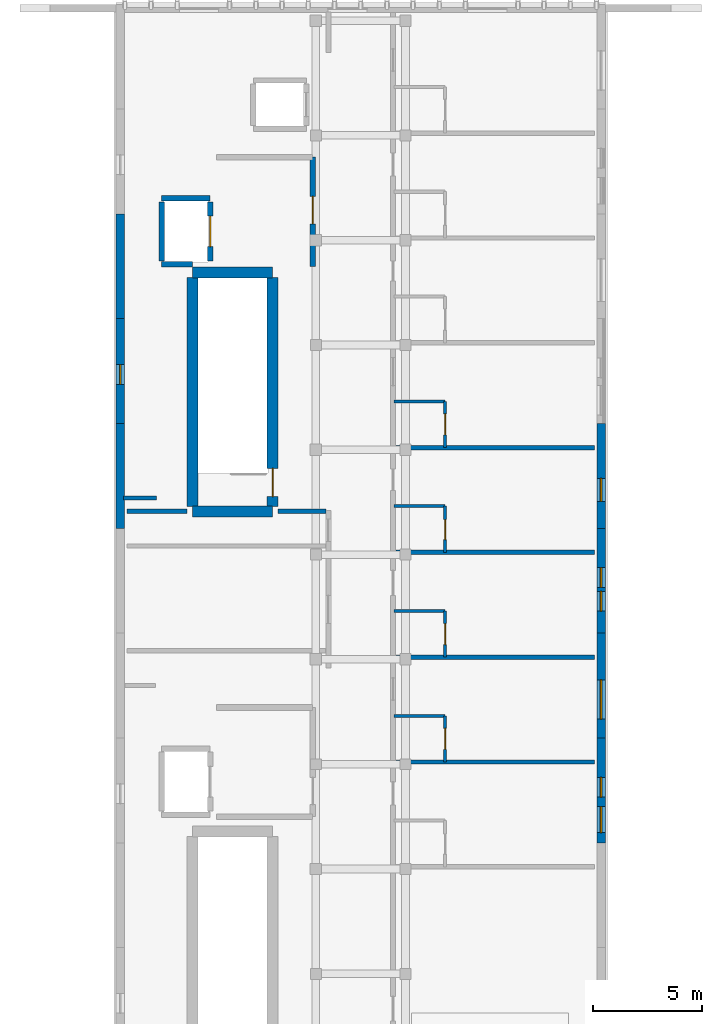
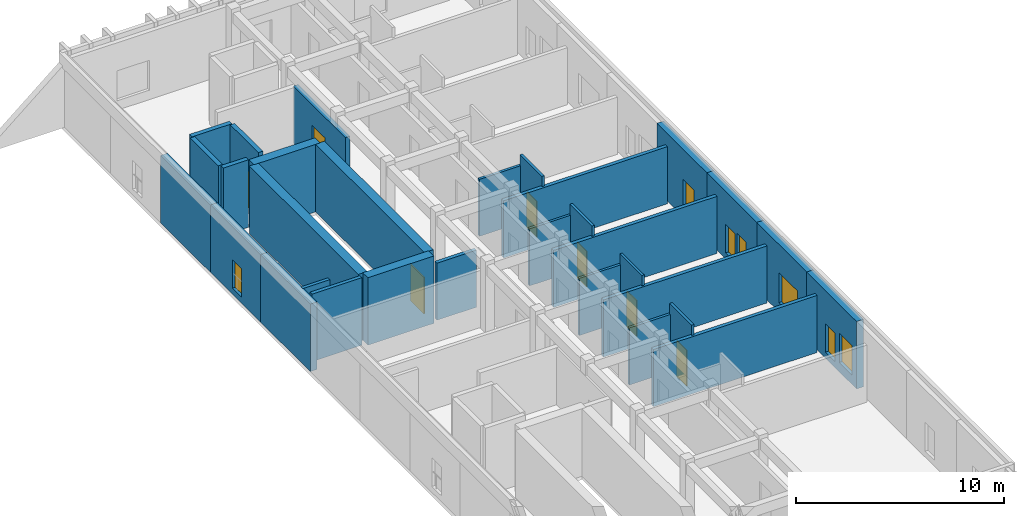
# One storey, part 3 of 7: 31 walls, 7 doors, 7 windows, 14 openings.
"""IFC4 building model written with IfcOpenShell, lengths in metres."""

from ifc_helpers import new_model, si_unit, direction, frame, frame_2d, origin, place, context, subcontext, project, spatial, rectangle, extrude, material, layer, layer_set, type_object, element, fill, save


model = new_model("IFC4")

# Units and contexts
model_context = context("Model", 3, precision=1e-05, world=origin(), true_north=direction((0.0, 1.0)))
body_context = subcontext(model_context, "Body", "Model", "MODEL_VIEW")
ifc_project = project(units=[si_unit("LENGTHUNIT", "METRE"), si_unit("AREAUNIT", "SQUARE_METRE"), si_unit("VOLUMEUNIT", "CUBIC_METRE"), si_unit("PLANEANGLEUNIT", "RADIAN"), si_unit("MASSUNIT", "GRAM", prefix="KILO")], contexts=[model_context])

# Site, building, storey
site_placement = place(None, origin())
site = spatial("IfcSite", under=ifc_project, at=site_placement, CompositionType="ELEMENT")
building_placement = place(site_placement, origin())
building = spatial("IfcBuilding", under=site, at=building_placement, Name="Nakhvara Creek Congress Hotel", CompositionType="ELEMENT")
storey_placement = place(building_placement, frame((0.0, 0.0, 50.39990234375)))
storey = spatial("IfcBuildingStorey", under=building, at=storey_placement, Name="L12", CompositionType="ELEMENT", Elevation=50.39990234375)

# Walls
ifc_material_1 = material(Name="Concrete C50/60", Category="concrete")
ifc_layer_1 = layer(ifc_material_1, 0.5)
ifc_layer_set_1 = layer_set([ifc_layer_1], Name="Concrete C50/60")
wall_type_1 = type_object("IfcWallType", Name="W-CORE-500", PredefinedType="SHEAR", material=ifc_layer_set_1)
for number, where, z_axis, x_axis, name in (
    (1, (156.699951171875, 102.780029296875, 0.0), (0.0, 0.0, 1.0), (1.0, 0.0, 0.0), "Core Shear Wall WS01-CWALL-L12-0520"),
    (2, (156.699951171875, 113.719970703125, 0.0), (0.0, 0.0, 1.0), (1.0, 0.0, 0.0), "Core Shear Wall WS01-CWALL-L12-0521"),
):
    element("IfcWall", number, at=place(storey_placement, frame(where, z_axis=z_axis, x_axis=x_axis)), inside=storey, type_object=wall_type_1, Name=name, PredefinedType="SHEAR", context=body_context, shape_type="SweptSolid", body=[
        extrude(rectangle(XDim=3.670166015625, YDim=0.5, at=frame_2d((1.8349609375, 0.0))), origin(), (0.0, 0.0, 1.0), 3.960205078125),
    ])
wall_1_placement = place(storey_placement, frame((156.699951171875, 103.0, 0.0), z_axis=(0.0, 0.0, 1.0), x_axis=(0.0, 1.0, 0.0)))
element("IfcWall", 3, at=wall_1_placement, inside=storey, type_object=wall_type_1, Name="Core Shear Wall WS01-CWALL-L12-0522", PredefinedType="SHEAR", context=body_context, shape_type="SweptSolid", body=[
    extrude(rectangle(XDim=10.5, YDim=0.5, at=frame_2d((5.25, 0.0))), origin(), (0.0, 0.0, 1.0), 3.960205078125),
])

# Wall, opening, door
wall_2_placement = place(storey_placement, frame((160.3701171875, 103.0, 0.0), z_axis=(0.0, 0.0, 1.0), x_axis=(0.0, 1.0, 0.0)))
wall_2 = element("IfcWall", 4, at=wall_2_placement, inside=storey, type_object=wall_type_1, Name="Core Shear Wall WS01-CWALL-L12-0523", PredefinedType="SHEAR", context=body_context, shape_type="SweptSolid", body=[
    extrude(rectangle(XDim=10.5, YDim=0.5, at=frame_2d((5.25, 0.0))), origin(), (0.0, 0.0, 1.0), 3.960205078125),
])
opening_1_placement = place(wall_2_placement, frame((0.449951171875, 0.0, 0.0)))
opening_1 = element("IfcOpeningElement", 5, at=opening_1_placement, cuts=wall_2, Name="Opening FD04", PredefinedType="OPENING", context=body_context, shape_type="SweptSolid", body=[
    extrude(rectangle(XDim=1.300048828125, YDim=2.14990234375, at=frame_2d((0.64990234375, 1.074951171875))), frame((0.0, 0.261962890625, 0.0), z_axis=(0.0, -1.0, 0.0), x_axis=(1.0, 0.0, 0.0)), (0.0, 0.0, 1.0), 0.52392578125),
])
ifc_material_2 = material(Name="Powder-coated steel fire door", Category="steel")
door_type_1 = type_object("IfcDoorType", Name="DT-STAIR-130", OperationType="NOTDEFINED", PredefinedType="DOOR", material=ifc_material_2)
door_1_placement = place(opening_1_placement, frame((1.300048828125, 0.0, 0.0), z_axis=(0.0, 0.0, 1.0), x_axis=(-1.0, 0.0, 0.0)))
door_1 = element("IfcDoor", 6, at=door_1_placement, inside=storey, type_object=door_type_1, Name="Stair Exit Door ST02-L12", OperationType="SINGLE_SWING_LEFT", OverallHeight=2.14990234375, OverallWidth=1.300048828125, PredefinedType="DOOR", context=body_context, shape_type="SweptSolid", body=[
    extrude(rectangle(XDim=1.300048828125, YDim=2.14990234375, at=frame_2d((0.64990234375, 1.074951171875))), frame((0.0, 0.02490234375, 0.0), z_axis=(0.0, -1.0, 0.0), x_axis=(1.0, 0.0, 0.0)), (0.0, 0.0, 1.0), 0.050048828125),
])
fill(opening_1, door_1)

ifc_material_3 = material(Name="Moisture-resistant gypsum board partition")
ifc_layer_2 = layer(ifc_material_3, 0.139892578125)
ifc_layer_set_2 = layer_set([ifc_layer_2], Name="Moisture-resistant gypsum board partition")
wall_type_2 = type_object("IfcWallType", Name="W-ENS-140", PredefinedType="PARTITIONING", material=ifc_layer_set_2)
wall_3_placement = place(storey_placement, frame((168.27001953125, 91.300048828125, 0.0), z_axis=(0.0, 0.0, 1.0), x_axis=(0.0, 1.0, 0.0)))
wall_3 = element("IfcWall", 7, at=wall_3_placement, inside=storey, type_object=wall_type_2, Name="Interior Wall WP15-IW-L12-0806", PredefinedType="PARTITIONING", context=body_context, shape_type="SweptSolid", body=[
    extrude(rectangle(XDim=2.115966796875, YDim=0.139892578125, at=frame_2d((1.05810546875, 0.0))), origin(), (0.0, 0.0, 1.0), 3.960205078125),
])
opening_2_placement = place(wall_3_placement, frame((0.5830078125, 0.0, 0.0)))
opening_2 = element("IfcOpeningElement", 8, at=opening_2_placement, cuts=wall_3, Name="Opening ID02", PredefinedType="OPENING", context=body_context, shape_type="SweptSolid", body=[
    extrude(rectangle(XDim=0.9599609375, YDim=2.1201171875, at=frame_2d((0.47998046875, 1.06005859375))), frame((0.0, 0.08203125, 0.0), z_axis=(0.0, -1.0, 0.0), x_axis=(1.0, 0.0, 0.0)), (0.0, 0.0, 1.0), 0.163818359375),
])
ifc_material_4 = material(Name="Moisture-resistant walnut timber door", Category="wood")
door_type_2 = type_object("IfcDoorType", Name="DT-ENS-096", OperationType="NOTDEFINED", PredefinedType="DOOR", material=ifc_material_4)
door_2_placement = place(opening_2_placement, frame((0.9599609375, 0.0, 0.0), z_axis=(0.0, 0.0, 1.0), x_axis=(-1.0, 0.0, 0.0)))
door_2 = element("IfcDoor", 9, at=door_2_placement, inside=storey, type_object=door_type_2, Name="Interior Door ID02-0572", OperationType="SINGLE_SWING_LEFT", OverallHeight=2.1201171875, OverallWidth=0.9599609375, PredefinedType="DOOR", context=body_context, shape_type="SweptSolid", body=[
    extrude(rectangle(XDim=0.9599609375, YDim=2.1201171875, at=frame_2d((0.47998046875, 1.06005859375))), frame((0.0, 0.02490234375, 0.0), z_axis=(0.0, -1.0, 0.0), x_axis=(1.0, 0.0, 0.0)), (0.0, 0.0, 1.0), 0.050048828125),
])
fill(opening_2, door_2)

# Wall
wall_4_placement = place(storey_placement, frame((165.919921875, 93.416015625, 0.0), z_axis=(0.0, 0.0, 1.0), x_axis=(1.0, 0.0, 0.0)))
element("IfcWall", 10, at=wall_4_placement, inside=storey, type_object=wall_type_2, Name="Interior Wall WP15-IW-L12-0807", PredefinedType="PARTITIONING", context=body_context, shape_type="SweptSolid", body=[
    extrude(rectangle(XDim=2.35009765625, YDim=0.139892578125, at=frame_2d((1.175048828125, 0.0))), origin(), (0.0, 0.0, 1.0), 3.35205078125),
])

# Wall, opening, door
wall_5_placement = place(storey_placement, frame((168.27001953125, 96.10009765625, 0.0), z_axis=(0.0, 0.0, 1.0), x_axis=(0.0, 1.0, 0.0)))
wall_5 = element("IfcWall", 11, at=wall_5_placement, inside=storey, type_object=wall_type_2, Name="Interior Wall WP15-IW-L12-0809", PredefinedType="PARTITIONING", context=body_context, shape_type="SweptSolid", body=[
    extrude(rectangle(XDim=2.115966796875, YDim=0.139892578125, at=frame_2d((1.05810546875, 0.0))), origin(), (0.0, 0.0, 1.0), 3.960205078125),
])
opening_3_placement = place(wall_5_placement, frame((0.5830078125, 0.0, 0.0)))
opening_3 = element("IfcOpeningElement", 12, at=opening_3_placement, cuts=wall_5, Name="Opening ID02", PredefinedType="OPENING", context=body_context, shape_type="SweptSolid", body=[
    extrude(rectangle(XDim=0.9599609375, YDim=2.1201171875, at=frame_2d((0.47998046875, 1.06005859375))), frame((0.0, 0.08203125, 0.0), z_axis=(0.0, -1.0, 0.0), x_axis=(1.0, 0.0, 0.0)), (0.0, 0.0, 1.0), 0.163818359375),
])
door_3_placement = place(opening_3_placement, frame((0.9599609375, 0.0, 0.0), z_axis=(0.0, 0.0, 1.0), x_axis=(-1.0, 0.0, 0.0)))
door_3 = element("IfcDoor", 13, at=door_3_placement, inside=storey, type_object=door_type_2, Name="Interior Door ID02-0574", OperationType="SINGLE_SWING_LEFT", OverallHeight=2.1201171875, OverallWidth=0.9599609375, PredefinedType="DOOR", context=body_context, shape_type="SweptSolid", body=[
    extrude(rectangle(XDim=0.9599609375, YDim=2.1201171875, at=frame_2d((0.47998046875, 1.06005859375))), frame((0.0, 0.02490234375, 0.0), z_axis=(0.0, -1.0, 0.0), x_axis=(1.0, 0.0, 0.0)), (0.0, 0.0, 1.0), 0.050048828125),
])
fill(opening_3, door_3)

# Wall
wall_6_placement = place(storey_placement, frame((165.919921875, 98.216064453125, 0.0), z_axis=(0.0, 0.0, 1.0), x_axis=(1.0, 0.0, 0.0)))
element("IfcWall", 14, at=wall_6_placement, inside=storey, type_object=wall_type_2, Name="Interior Wall WP15-IW-L12-0810", PredefinedType="PARTITIONING", context=body_context, shape_type="SweptSolid", body=[
    extrude(rectangle(XDim=2.35009765625, YDim=0.139892578125, at=frame_2d((1.175048828125, 0.0))), origin(), (0.0, 0.0, 1.0), 3.35205078125),
])

# Wall, opening, door
wall_7_placement = place(storey_placement, frame((168.27001953125, 100.89990234375, 0.0), z_axis=(0.0, 0.0, 1.0), x_axis=(0.0, 1.0, 0.0)))
wall_7 = element("IfcWall", 15, at=wall_7_placement, inside=storey, type_object=wall_type_2, Name="Interior Wall WP15-IW-L12-0812", PredefinedType="PARTITIONING", context=body_context, shape_type="SweptSolid", body=[
    extrude(rectangle(XDim=2.1162109375, YDim=0.139892578125, at=frame_2d((1.05810546875, 0.0))), origin(), (0.0, 0.0, 1.0), 3.960205078125),
])
opening_4_placement = place(wall_7_placement, frame((0.5830078125, 0.0, 0.0)))
opening_4 = element("IfcOpeningElement", 16, at=opening_4_placement, cuts=wall_7, Name="Opening ID01", PredefinedType="OPENING", context=body_context, shape_type="SweptSolid", body=[
    extrude(rectangle(XDim=0.919921875, YDim=2.10009765625, at=frame_2d((0.4599609375, 1.050048828125))), frame((0.0, 0.08203125, 0.0), z_axis=(0.0, -1.0, 0.0), x_axis=(1.0, 0.0, 0.0)), (0.0, 0.0, 1.0), 0.163818359375),
])
door_type_3 = type_object("IfcDoorType", Name="DT-ENS-092", OperationType="NOTDEFINED", PredefinedType="DOOR", material=ifc_material_4)
door_4_placement = place(opening_4_placement, frame((0.919921875, 0.0, 0.0), z_axis=(0.0, 0.0, 1.0), x_axis=(-1.0, 0.0, 0.0)))
door_4 = element("IfcDoor", 17, at=door_4_placement, inside=storey, type_object=door_type_3, Name="Interior Door ID01-0576", OperationType="SINGLE_SWING_LEFT", OverallHeight=2.10009765625, OverallWidth=0.919921875, PredefinedType="DOOR", context=body_context, shape_type="SweptSolid", body=[
    extrude(rectangle(XDim=0.919921875, YDim=2.10009765625, at=frame_2d((0.4599609375, 1.050048828125))), frame((0.0, 0.02490234375, 0.0), z_axis=(0.0, -1.0, 0.0), x_axis=(1.0, 0.0, 0.0)), (0.0, 0.0, 1.0), 0.050048828125),
])
fill(opening_4, door_4)

# Wall
wall_8_placement = place(storey_placement, frame((165.919921875, 103.01611328125, 0.0), z_axis=(0.0, 0.0, 1.0), x_axis=(1.0, 0.0, 0.0)))
element("IfcWall", 18, at=wall_8_placement, inside=storey, type_object=wall_type_2, Name="Interior Wall WP15-IW-L12-0813", PredefinedType="PARTITIONING", context=body_context, shape_type="SweptSolid", body=[
    extrude(rectangle(XDim=2.35009765625, YDim=0.139892578125, at=frame_2d((1.175048828125, 0.0))), origin(), (0.0, 0.0, 1.0), 3.35205078125),
])

# Wall, opening, door
wall_9_placement = place(storey_placement, frame((168.27001953125, 105.699951171875, 0.0), z_axis=(0.0, 0.0, 1.0), x_axis=(0.0, 1.0, 0.0)))
wall_9 = element("IfcWall", 19, at=wall_9_placement, inside=storey, type_object=wall_type_2, Name="Interior Wall WP15-IW-L12-0815", PredefinedType="PARTITIONING", context=body_context, shape_type="SweptSolid", body=[
    extrude(rectangle(XDim=2.115966796875, YDim=0.139892578125, at=frame_2d((1.05810546875, 0.0))), origin(), (0.0, 0.0, 1.0), 3.960205078125),
])
opening_5_placement = place(wall_9_placement, frame((0.5830078125, 0.0, 0.0)))
opening_5 = element("IfcOpeningElement", 20, at=opening_5_placement, cuts=wall_9, Name="Opening ID02", PredefinedType="OPENING", context=body_context, shape_type="SweptSolid", body=[
    extrude(rectangle(XDim=0.9599609375, YDim=2.1201171875, at=frame_2d((0.47998046875, 1.06005859375))), frame((0.0, 0.08203125, 0.0), z_axis=(0.0, -1.0, 0.0), x_axis=(1.0, 0.0, 0.0)), (0.0, 0.0, 1.0), 0.163818359375),
])
door_5_placement = place(opening_5_placement, frame((0.9599609375, 0.0, 0.0), z_axis=(0.0, 0.0, 1.0), x_axis=(-1.0, 0.0, 0.0)))
door_5 = element("IfcDoor", 21, at=door_5_placement, inside=storey, type_object=door_type_2, Name="Interior Door ID02-0578", OperationType="SINGLE_SWING_LEFT", OverallHeight=2.1201171875, OverallWidth=0.9599609375, PredefinedType="DOOR", context=body_context, shape_type="SweptSolid", body=[
    extrude(rectangle(XDim=0.9599609375, YDim=2.1201171875, at=frame_2d((0.47998046875, 1.06005859375))), frame((0.0, 0.02490234375, 0.0), z_axis=(0.0, -1.0, 0.0), x_axis=(1.0, 0.0, 0.0)), (0.0, 0.0, 1.0), 0.050048828125),
])
fill(opening_5, door_5)

# Wall
wall_10_placement = place(storey_placement, frame((165.919921875, 107.81591796875, 0.0), z_axis=(0.0, 0.0, 1.0), x_axis=(1.0, 0.0, 0.0)))
element("IfcWall", 22, at=wall_10_placement, inside=storey, type_object=wall_type_2, Name="Interior Wall WP15-IW-L12-0816", PredefinedType="PARTITIONING", context=body_context, shape_type="SweptSolid", body=[
    extrude(rectangle(XDim=2.35009765625, YDim=0.139892578125, at=frame_2d((1.175048828125, 0.0))), origin(), (0.0, 0.0, 1.0), 3.35205078125),
])

# Wall, openings, windows
ifc_material_5 = material(Name="Honed pale Omani limestone cladding", Category="masonry")
ifc_layer_3 = layer(ifc_material_5, 0.050048828125)
ifc_material_6 = material(Name="Mineral wool thermal insulation")
ifc_layer_4 = layer(ifc_material_6, 0.110107421875)
ifc_material_7 = material(Name="Precast concrete C40/50", Category="concrete")
ifc_layer_5 = layer(ifc_material_7, 0.219970703125)
ifc_layer_set_3 = layer_set([ifc_layer_3, ifc_layer_4, ifc_layer_5], Name="Precast concrete C40/50")
wall_type_3 = type_object("IfcWallType", Name="W-EXT-380", PredefinedType="SOLIDWALL", material=ifc_layer_set_3)
wall_11_placement = place(storey_placement, frame((175.409912109375, 92.39990234375, 0.0), z_axis=(0.0, 0.0, 1.0), x_axis=(0.0, -1.0, 0.0)))
wall_11 = element("IfcWall", 23, at=wall_11_placement, inside=storey, type_object=wall_type_3, Name="Exterior Wall WE03-EW-L12-0239", PredefinedType="SOLIDWALL", context=body_context, shape_type="SweptSolid", body=[
    extrude(rectangle(XDim=4.7998046875, YDim=0.3798828125, at=frame_2d((2.39990234375, 0.0))), origin(), (0.0, 0.0, 1.0), 3.960205078125),
])
opening_6_placement = place(wall_11_placement, frame((1.800048828125, 0.0, 0.35009765625)))
opening_6 = element("IfcOpeningElement", 24, at=opening_6_placement, cuts=wall_11, Name="Opening WN0260", PredefinedType="OPENING", context=body_context, shape_type="SweptSolid", body=[
    extrude(rectangle(XDim=0.89990234375, YDim=1.679931640625, at=frame_2d((0.449951171875, 0.83984375))), frame((0.0, 0.201904296875, 0.0), z_axis=(0.0, -1.0, 0.0), x_axis=(1.0, 0.0, 0.0)), (0.0, 0.0, 1.0), 0.40380859375),
])
opening_7_placement = place(wall_11_placement, frame((3.135009765625, 0.0, 0.550048828125)))
opening_7 = element("IfcOpeningElement", 25, at=opening_7_placement, cuts=wall_11, Name="Opening WN0268", PredefinedType="OPENING", context=body_context, shape_type="SweptSolid", body=[
    extrude(rectangle(XDim=1.199951171875, YDim=1.719970703125, at=frame_2d((0.60009765625, 0.85986328125))), frame((0.0, 0.201904296875, 0.0), z_axis=(0.0, -1.0, 0.0), x_axis=(1.0, 0.0, 0.0)), (0.0, 0.0, 1.0), 0.40380859375),
])
ifc_material_8 = material(Name="Thermally broken bronze-anodised aluminium and double-silver low-E insulated glass", Category="aluminium")
window_type_1 = type_object("IfcWindowType", Name="WN-LAN-090X210", PartitioningType="SINGLE_PANEL", PredefinedType="WINDOW", material=ifc_material_8)
window_1_placement = place(opening_6_placement, origin())
window_1 = element("IfcWindow", 26, at=window_1_placement, inside=storey, type_object=window_type_1, Name="Facade Window WN0260", OverallHeight=1.679931640625, OverallWidth=0.89990234375, PartitioningType="SINGLE_PANEL", PredefinedType="WINDOW", context=body_context, shape_type="SweptSolid", body=[
    extrude(rectangle(XDim=0.89990234375, YDim=1.679931640625, at=frame_2d((0.449951171875, 0.83984375))), frame((0.0, 0.030029296875, 0.0), z_axis=(0.0, -1.0, 0.0), x_axis=(1.0, 0.0, 0.0)), (0.0, 0.0, 1.0), 0.06005859375),
])
fill(opening_6, window_1)
window_type_2 = type_object("IfcWindowType", Name="WN-LAN-120X220", PartitioningType="SINGLE_PANEL", PredefinedType="WINDOW", material=ifc_material_8)
window_2_placement = place(opening_7_placement, origin())
window_2 = element("IfcWindow", 27, at=window_2_placement, inside=storey, type_object=window_type_2, Name="Facade Window WN0268", OverallHeight=1.719970703125, OverallWidth=1.199951171875, PartitioningType="SINGLE_PANEL", PredefinedType="WINDOW", context=body_context, shape_type="SweptSolid", body=[
    extrude(rectangle(XDim=1.199951171875, YDim=1.719970703125, at=frame_2d((0.60009765625, 0.85986328125))), frame((0.0, 0.030029296875, 0.0), z_axis=(0.0, -1.0, 0.0), x_axis=(1.0, 0.0, 0.0)), (0.0, 0.0, 1.0), 0.06005859375),
])
fill(opening_7, window_2)

# Wall, opening, window
wall_12_placement = place(storey_placement, frame((175.409912109375, 97.199951171875, 0.0), z_axis=(0.0, 0.0, 1.0), x_axis=(0.0, -1.0, 0.0)))
wall_12 = element("IfcWall", 28, at=wall_12_placement, inside=storey, type_object=wall_type_3, Name="Exterior Wall WE03-EW-L12-0241", PredefinedType="SOLIDWALL", context=body_context, shape_type="SweptSolid", body=[
    extrude(rectangle(XDim=4.800048828125, YDim=0.3798828125, at=frame_2d((2.39990234375, 0.0))), origin(), (0.0, 0.0, 1.0), 3.960205078125),
])
opening_8_placement = place(wall_12_placement, frame((2.135009765625, 0.0, 0.550048828125)))
opening_8 = element("IfcOpeningElement", 29, at=opening_8_placement, cuts=wall_12, Name="Opening WN0269", PredefinedType="OPENING", context=body_context, shape_type="SweptSolid", body=[
    extrude(rectangle(XDim=1.800048828125, YDim=1.760009765625, at=frame_2d((0.89990234375, 0.8798828125))), frame((0.0, 0.201904296875, 0.0), z_axis=(0.0, -1.0, 0.0), x_axis=(1.0, 0.0, 0.0)), (0.0, 0.0, 1.0), 0.40380859375),
])
window_type_3 = type_object("IfcWindowType", Name="WN-LAN-180X225", PartitioningType="SINGLE_PANEL", PredefinedType="WINDOW", material=ifc_material_8)
window_3_placement = place(opening_8_placement, origin())
window_3 = element("IfcWindow", 30, at=window_3_placement, inside=storey, type_object=window_type_3, Name="Facade Window WN0269", OverallHeight=1.760009765625, OverallWidth=1.800048828125, PartitioningType="SINGLE_PANEL", PredefinedType="WINDOW", context=body_context, shape_type="SweptSolid", body=[
    extrude(rectangle(XDim=1.800048828125, YDim=1.760009765625, at=frame_2d((0.89990234375, 0.8798828125))), frame((0.0, 0.030029296875, 0.0), z_axis=(0.0, -1.0, 0.0), x_axis=(1.0, 0.0, 0.0)), (0.0, 0.0, 1.0), 0.06005859375),
])
fill(opening_8, window_3)

# Wall, openings, windows
wall_13_placement = place(storey_placement, frame((175.409912109375, 102.0, 0.0), z_axis=(0.0, 0.0, 1.0), x_axis=(0.0, -1.0, 0.0)))
wall_13 = element("IfcWall", 31, at=wall_13_placement, inside=storey, type_object=wall_type_3, Name="Exterior Wall WE03-EW-L12-0243", PredefinedType="SOLIDWALL", context=body_context, shape_type="SweptSolid", body=[
    extrude(rectangle(XDim=4.800048828125, YDim=0.3798828125, at=frame_2d((2.39990234375, 0.0))), origin(), (0.0, 0.0, 1.0), 3.960205078125),
])
opening_9_placement = place(wall_13_placement, frame((1.800048828125, 0.0, 0.35009765625)))
opening_9 = element("IfcOpeningElement", 32, at=opening_9_placement, cuts=wall_13, Name="Opening WN0262", PredefinedType="OPENING", context=body_context, shape_type="SweptSolid", body=[
    extrude(rectangle(XDim=0.89990234375, YDim=1.679931640625, at=frame_2d((0.449951171875, 0.83984375))), frame((0.0, 0.201904296875, 0.0), z_axis=(0.0, -1.0, 0.0), x_axis=(1.0, 0.0, 0.0)), (0.0, 0.0, 1.0), 0.40380859375),
])
opening_10_placement = place(wall_13_placement, frame((2.885009765625, 0.0, 0.5)))
opening_10 = element("IfcOpeningElement", 33, at=opening_10_placement, cuts=wall_13, Name="Opening WN0270", PredefinedType="OPENING", context=body_context, shape_type="SweptSolid", body=[
    extrude(rectangle(XDim=0.89990234375, YDim=1.679931640625, at=frame_2d((0.449951171875, 0.83984375))), frame((0.0, 0.201904296875, 0.0), z_axis=(0.0, -1.0, 0.0), x_axis=(1.0, 0.0, 0.0)), (0.0, 0.0, 1.0), 0.40380859375),
])
window_4_placement = place(opening_9_placement, origin())
window_4 = element("IfcWindow", 34, at=window_4_placement, inside=storey, type_object=window_type_1, Name="Facade Window WN0262", OverallHeight=1.679931640625, OverallWidth=0.89990234375, PartitioningType="SINGLE_PANEL", PredefinedType="WINDOW", context=body_context, shape_type="SweptSolid", body=[
    extrude(rectangle(XDim=0.89990234375, YDim=1.679931640625, at=frame_2d((0.449951171875, 0.83984375))), frame((0.0, 0.030029296875, 0.0), z_axis=(0.0, -1.0, 0.0), x_axis=(1.0, 0.0, 0.0)), (0.0, 0.0, 1.0), 0.06005859375),
])
fill(opening_9, window_4)
window_5_placement = place(opening_10_placement, origin())
window_5 = element("IfcWindow", 35, at=window_5_placement, inside=storey, type_object=window_type_1, Name="Facade Window WN0270", OverallHeight=1.679931640625, OverallWidth=0.89990234375, PartitioningType="SINGLE_PANEL", PredefinedType="WINDOW", context=body_context, shape_type="SweptSolid", body=[
    extrude(rectangle(XDim=0.89990234375, YDim=1.679931640625, at=frame_2d((0.449951171875, 0.83984375))), frame((0.0, 0.030029296875, 0.0), z_axis=(0.0, -1.0, 0.0), x_axis=(1.0, 0.0, 0.0)), (0.0, 0.0, 1.0), 0.06005859375),
])
fill(opening_10, window_5)

# Wall, opening, window
wall_14_placement = place(storey_placement, frame((175.409912109375, 106.800048828125, 0.0), z_axis=(0.0, 0.0, 1.0), x_axis=(0.0, -1.0, 0.0)))
wall_14 = element("IfcWall", 36, at=wall_14_placement, inside=storey, type_object=wall_type_3, Name="Exterior Wall WE03-EW-L12-0245", PredefinedType="SOLIDWALL", context=body_context, shape_type="SweptSolid", body=[
    extrude(rectangle(XDim=4.800048828125, YDim=0.3798828125, at=frame_2d((2.39990234375, 0.0))), origin(), (0.0, 0.0, 1.0), 3.960205078125),
])
opening_11_placement = place(wall_14_placement, frame((2.510009765625, 0.0, 0.550048828125)))
opening_11 = element("IfcOpeningElement", 37, at=opening_11_placement, cuts=wall_14, Name="Opening WN0271", PredefinedType="OPENING", context=body_context, shape_type="SweptSolid", body=[
    extrude(rectangle(XDim=1.050048828125, YDim=1.64990234375, at=frame_2d((0.52490234375, 0.824951171875))), frame((0.0, 0.201904296875, 0.0), z_axis=(0.0, -1.0, 0.0), x_axis=(1.0, 0.0, 0.0)), (0.0, 0.0, 1.0), 0.40380859375),
])
window_type_4 = type_object("IfcWindowType", Name="WN-LAN-105X180", PartitioningType="SINGLE_PANEL", PredefinedType="WINDOW", material=ifc_material_8)
window_6_placement = place(opening_11_placement, origin())
window_6 = element("IfcWindow", 38, at=window_6_placement, inside=storey, type_object=window_type_4, Name="Facade Window WN0271", OverallHeight=1.64990234375, OverallWidth=1.050048828125, PartitioningType="SINGLE_PANEL", PredefinedType="WINDOW", context=body_context, shape_type="SweptSolid", body=[
    extrude(rectangle(XDim=1.050048828125, YDim=1.64990234375, at=frame_2d((0.52490234375, 0.824951171875))), frame((0.0, 0.030029296875, 0.0), z_axis=(0.0, -1.0, 0.0), x_axis=(1.0, 0.0, 0.0)), (0.0, 0.0, 1.0), 0.06005859375),
])
fill(opening_11, window_6)

# Wall
wall_15_placement = place(storey_placement, frame((153.389892578125, 102.0, 0.0), z_axis=(0.0, 0.0, 1.0), x_axis=(0.0, 1.0, 0.0)))
element("IfcWall", 39, at=wall_15_placement, inside=storey, type_object=wall_type_3, Name="Exterior Wall WE03-EW-L12-0246", PredefinedType="SOLIDWALL", context=body_context, shape_type="SweptSolid", body=[
    extrude(rectangle(XDim=4.800048828125, YDim=0.3798828125, at=frame_2d((2.39990234375, 0.0))), origin(), (0.0, 0.0, 1.0), 3.960205078125),
])

# Wall, opening, window
wall_16_placement = place(storey_placement, frame((153.389892578125, 106.800048828125, 0.0), z_axis=(0.0, 0.0, 1.0), x_axis=(0.0, 1.0, 0.0)))
wall_16 = element("IfcWall", 40, at=wall_16_placement, inside=storey, type_object=wall_type_3, Name="Exterior Wall WE03-EW-L12-0248", PredefinedType="SOLIDWALL", context=body_context, shape_type="SweptSolid", body=[
    extrude(rectangle(XDim=4.800048828125, YDim=0.3798828125, at=frame_2d((2.39990234375, 0.0))), origin(), (0.0, 0.0, 1.0), 3.960205078125),
])
opening_12_placement = place(wall_16_placement, frame((1.800048828125, 0.0, 0.35009765625)))
opening_12 = element("IfcOpeningElement", 41, at=opening_12_placement, cuts=wall_16, Name="Opening WN0264", PredefinedType="OPENING", context=body_context, shape_type="SweptSolid", body=[
    extrude(rectangle(XDim=0.89990234375, YDim=1.679931640625, at=frame_2d((0.449951171875, 0.83984375))), frame((0.0, 0.201904296875, 0.0), z_axis=(0.0, -1.0, 0.0), x_axis=(1.0, 0.0, 0.0)), (0.0, 0.0, 1.0), 0.40380859375),
])
window_7_placement = place(opening_12_placement, origin())
window_7 = element("IfcWindow", 42, at=window_7_placement, inside=storey, type_object=window_type_1, Name="Facade Window WN0264", OverallHeight=1.679931640625, OverallWidth=0.89990234375, PartitioningType="SINGLE_PANEL", PredefinedType="WINDOW", context=body_context, shape_type="SweptSolid", body=[
    extrude(rectangle(XDim=0.89990234375, YDim=1.679931640625, at=frame_2d((0.449951171875, 0.83984375))), frame((0.0, 0.030029296875, 0.0), z_axis=(0.0, -1.0, 0.0), x_axis=(1.0, 0.0, 0.0)), (0.0, 0.0, 1.0), 0.06005859375),
])
fill(opening_12, window_7)

# Wall
wall_17_placement = place(storey_placement, frame((153.389892578125, 111.60009765625, 0.0), z_axis=(0.0, 0.0, 1.0), x_axis=(0.0, 1.0, 0.0)))
element("IfcWall", 43, at=wall_17_placement, inside=storey, type_object=wall_type_3, Name="Exterior Wall WE03-EW-L12-0250", PredefinedType="SOLIDWALL", context=body_context, shape_type="SweptSolid", body=[
    extrude(rectangle(XDim=4.7998046875, YDim=0.3798828125, at=frame_2d((2.39990234375, 0.0))), origin(), (0.0, 0.0, 1.0), 3.960205078125),
])

# Wall, opening, door
ifc_material_9 = material(Name="Concrete C40/50", Category="concrete")
ifc_layer_6 = layer(ifc_material_9, 0.260009765625)
ifc_layer_set_4 = layer_set([ifc_layer_6], Name="Concrete C40/50")
wall_type_4 = type_object("IfcWallType", Name="W-FFL-260", PredefinedType="SOLIDWALL", material=ifc_layer_set_4)
wall_18_placement = place(storey_placement, frame((162.199951171875, 114.0, 0.0), z_axis=(0.0, 0.0, 1.0), x_axis=(0.0, 1.0, 0.0)))
wall_18 = element("IfcWall", 44, at=wall_18_placement, inside=storey, type_object=wall_type_4, Name="Core Shear Wall WI03-CWALL-L12-0532", PredefinedType="SOLIDWALL", context=body_context, shape_type="SweptSolid", body=[
    extrude(rectangle(XDim=5.0, YDim=0.260009765625, at=frame_2d((2.5, 0.0))), origin(), (0.0, 0.0, 1.0), 3.35205078125),
])
opening_13_placement = place(wall_18_placement, frame((1.949951171875, 0.0, 0.0)))
opening_13 = element("IfcOpeningElement", 45, at=opening_13_placement, cuts=wall_18, Name="Opening FD05", PredefinedType="OPENING", context=body_context, shape_type="SweptSolid", body=[
    extrude(rectangle(XDim=1.25, YDim=2.14990234375, at=frame_2d((0.625, 1.074951171875))), frame((0.0, 0.14208984375, 0.0), z_axis=(0.0, -1.0, 0.0), x_axis=(1.0, 0.0, 0.0)), (0.0, 0.0, 1.0), 0.283935546875),
])
ifc_material_10 = material(Name="Hardwood-veneered steel fire door", Category="steel")
door_type_4 = type_object("IfcDoorType", Name="DT-FFL-125", OperationType="NOTDEFINED", PredefinedType="DOOR", material=ifc_material_10)
door_6_placement = place(opening_13_placement, origin())
door_6 = element("IfcDoor", 46, at=door_6_placement, inside=storey, type_object=door_type_4, Name="Firefighting Lobby Door C2-L12", OperationType="DOUBLE_DOOR_SINGLE_SWING", OverallHeight=2.14990234375, OverallWidth=1.25, PredefinedType="DOOR", context=body_context, shape_type="SweptSolid", body=[
    extrude(rectangle(XDim=1.25, YDim=2.14990234375, at=frame_2d((0.625, 1.074951171875))), frame((0.0, 0.02490234375, 0.0), z_axis=(0.0, -1.0, 0.0), x_axis=(1.0, 0.0, 0.0)), (0.0, 0.0, 1.0), 0.050048828125),
])
fill(opening_13, door_6)

# Walls
ifc_material_11 = material(Name="Gypsum acoustic board on steel stud", Category="steel")
ifc_layer_7 = layer(ifc_material_11, 0.179931640625)
ifc_layer_set_5 = layer_set([ifc_layer_7], Name="Gypsum acoustic board on steel stud")
wall_type_5 = type_object("IfcWallType", Name="W-MEET-180", PredefinedType="PARTITIONING", material=ifc_layer_set_5)
wall_19_placement = place(storey_placement, frame((153.550048828125, 103.39990234375, 0.0), z_axis=(0.0, 0.0, 1.0), x_axis=(1.0, 0.0, 0.0)))
element("IfcWall", 47, at=wall_19_placement, inside=storey, type_object=wall_type_5, Name="Interior Wall WP13-IW-L12-0801", PredefinedType="PARTITIONING", context=body_context, shape_type="SweptSolid", body=[
    extrude(rectangle(XDim=1.5, YDim=0.179931640625, at=frame_2d((0.75, 0.0))), origin(), (0.0, 0.0, 1.0), 3.960205078125),
])
ifc_layer_8 = layer(ifc_material_11, 0.199951171875)
ifc_layer_set_6 = layer_set([ifc_layer_8], Name="Gypsum acoustic board on steel stud")
wall_type_6 = type_object("IfcWallType", Name="W-PART-200", PredefinedType="PARTITIONING", material=ifc_layer_set_6)
wall_20_placement = place(storey_placement, frame((153.699951171875, 102.780029296875, 0.0), z_axis=(0.0, 0.0, 1.0), x_axis=(1.0, 0.0, 0.0)))
element("IfcWall", 48, at=wall_20_placement, inside=storey, type_object=wall_type_6, Name="Interior Wall WP12-IW-L12-0798", PredefinedType="PARTITIONING", context=body_context, shape_type="SweptSolid", body=[
    extrude(rectangle(XDim=2.75, YDim=0.199951171875, at=frame_2d((1.375, 0.0))), origin(), (0.0, 0.0, 1.0), 3.960205078125),
])
wall_21_placement = place(storey_placement, frame((160.6201171875, 102.780029296875, 0.0), z_axis=(0.0, 0.0, 1.0), x_axis=(1.0, 0.0, 0.0)))
element("IfcWall", 49, at=wall_21_placement, inside=storey, type_object=wall_type_6, Name="Interior Wall WP12-IW-L12-0799", PredefinedType="PARTITIONING", context=body_context, shape_type="SweptSolid", body=[
    extrude(rectangle(XDim=2.18994140625, YDim=0.199951171875, at=frame_2d((1.094970703125, 0.0))), origin(), (0.0, 0.0, 1.0), 3.35205078125),
])
for number, where, z_axis, x_axis, name in (
    (50, (166.02001953125, 91.300048828125, 0.0), (0.0, 0.0, 1.0), (1.0, 0.0, 0.0), "Interior Wall WP12-IW-L12-0805"),
    (51, (166.02001953125, 96.10009765625, 0.0), (0.0, 0.0, 1.0), (1.0, 0.0, 0.0), "Interior Wall WP12-IW-L12-0808"),
    (52, (166.02001953125, 100.89990234375, 0.0), (0.0, 0.0, 1.0), (1.0, 0.0, 0.0), "Interior Wall WP12-IW-L12-0811"),
    (53, (166.02001953125, 105.699951171875, 0.0), (0.0, 0.0, 1.0), (1.0, 0.0, 0.0), "Interior Wall WP12-IW-L12-0814"),
):
    element("IfcWall", number, at=place(storey_placement, frame(where, z_axis=z_axis, x_axis=x_axis)), inside=storey, type_object=wall_type_6, Name=name, PredefinedType="PARTITIONING", context=body_context, shape_type="SweptSolid", body=[
        extrude(rectangle(XDim=9.080078125, YDim=0.199951171875, at=frame_2d((4.5400390625, 0.0))), origin(), (0.0, 0.0, 1.0), 3.35205078125),
    ])
ifc_layer_9 = layer(ifc_material_9, 0.25)
ifc_layer_set_7 = layer_set([ifc_layer_9], Name="Concrete C40/50")
wall_type_7 = type_object("IfcWallType", Name="W-SHAFT-250", PredefinedType="SOLIDWALL", material=ifc_layer_set_7)
wall_22_placement = place(storey_placement, frame((155.2900390625, 114.090087890625, 0.0), z_axis=(0.0, 0.0, 1.0), x_axis=(1.0, 0.0, 0.0)))
element("IfcWall", 54, at=wall_22_placement, inside=storey, type_object=wall_type_7, Name="Core Shear Wall WI02-CWALL-L12-0524", PredefinedType="SOLIDWALL", context=body_context, shape_type="SweptSolid", body=[
    extrude(rectangle(XDim=1.39990234375, YDim=0.25, at=frame_2d((0.699951171875, 0.0))), origin(), (0.0, 0.0, 1.0), 3.960205078125),
])
wall_23_placement = place(storey_placement, frame((155.2900390625, 117.110107421875, 0.0), z_axis=(0.0, 0.0, 1.0), x_axis=(1.0, 0.0, 0.0)))
element("IfcWall", 55, at=wall_23_placement, inside=storey, type_object=wall_type_7, Name="Core Shear Wall WI02-CWALL-L12-0525", PredefinedType="SOLIDWALL", context=body_context, shape_type="SweptSolid", body=[
    extrude(rectangle(XDim=2.219970703125, YDim=0.25, at=frame_2d((1.10986328125, 0.0))), origin(), (0.0, 0.0, 1.0), 3.960205078125),
])
wall_24_placement = place(storey_placement, frame((155.2900390625, 114.25, 0.0), z_axis=(0.0, 0.0, 1.0), x_axis=(0.0, 1.0, 0.0)))
element("IfcWall", 56, at=wall_24_placement, inside=storey, type_object=wall_type_7, Name="Core Shear Wall WI02-CWALL-L12-0526", PredefinedType="SOLIDWALL", context=body_context, shape_type="SweptSolid", body=[
    extrude(rectangle(XDim=2.699951171875, YDim=0.25, at=frame_2d((1.35009765625, 0.0))), origin(), (0.0, 0.0, 1.0), 3.960205078125),
])

# Wall, opening, door
wall_25_placement = place(storey_placement, frame((157.510009765625, 114.25, 0.0), z_axis=(0.0, 0.0, 1.0), x_axis=(0.0, 1.0, 0.0)))
wall_25 = element("IfcWall", 57, at=wall_25_placement, inside=storey, type_object=wall_type_7, Name="Core Shear Wall WI02-CWALL-L12-0527", PredefinedType="SOLIDWALL", context=body_context, shape_type="SweptSolid", body=[
    extrude(rectangle(XDim=2.699951171875, YDim=0.25, at=frame_2d((1.35009765625, 0.0))), origin(), (0.0, 0.0, 1.0), 3.960205078125),
])
opening_14_placement = place(wall_25_placement, frame((0.64990234375, 0.0, 0.0)))
opening_14 = element("IfcOpeningElement", 58, at=opening_14_placement, cuts=wall_25, Name="Opening LD02", PredefinedType="OPENING", context=body_context, shape_type="SweptSolid", body=[
    extrude(rectangle(XDim=1.39990234375, YDim=2.300048828125, at=frame_2d((0.699951171875, 1.14990234375))), frame((0.0, 0.136962890625, 0.0), z_axis=(0.0, -1.0, 0.0), x_axis=(1.0, 0.0, 0.0)), (0.0, 0.0, 1.0), 0.27392578125),
])
ifc_material_12 = material(Name="Brushed stainless steel heavy goods landing door", Category="steel")
door_type_5 = type_object("IfcDoorType", Name="DT-LIFT-140", OperationType="DOUBLE_DOOR_SLIDING", PredefinedType="DOOR", material=ifc_material_12)
door_7_placement = place(opening_14_placement, origin())
door_7 = element("IfcDoor", 59, at=door_7_placement, inside=storey, type_object=door_type_5, Name="Landing Door FFL2-L12", OperationType="SLIDING_TO_LEFT", OverallHeight=2.300048828125, OverallWidth=1.39990234375, PredefinedType="DOOR", context=body_context, shape_type="SweptSolid", body=[
    extrude(rectangle(XDim=1.39990234375, YDim=2.300048828125, at=frame_2d((0.699951171875, 1.14990234375))), frame((0.0, 0.02490234375, 0.0), z_axis=(0.0, -1.0, 0.0), x_axis=(1.0, 0.0, 0.0)), (0.0, 0.0, 1.0), 0.050048828125),
])
fill(opening_14, door_7)

save(model, "model.ifc")
